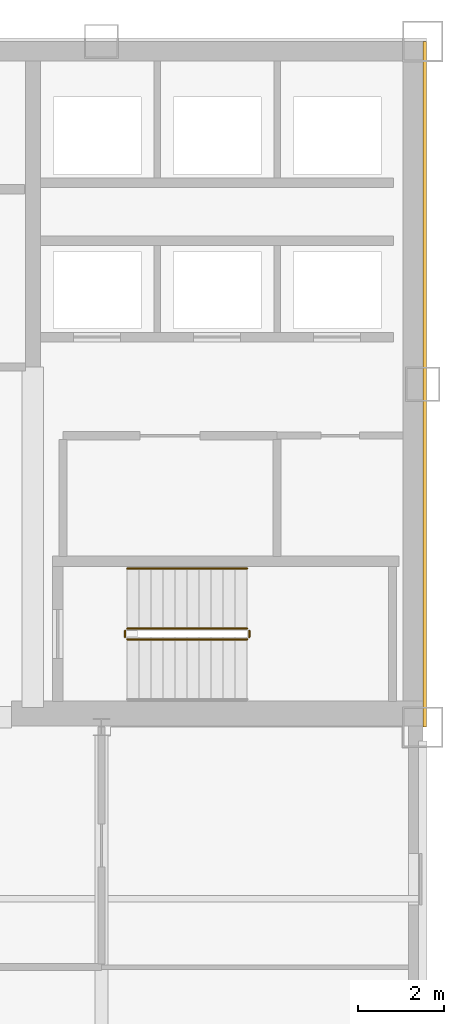
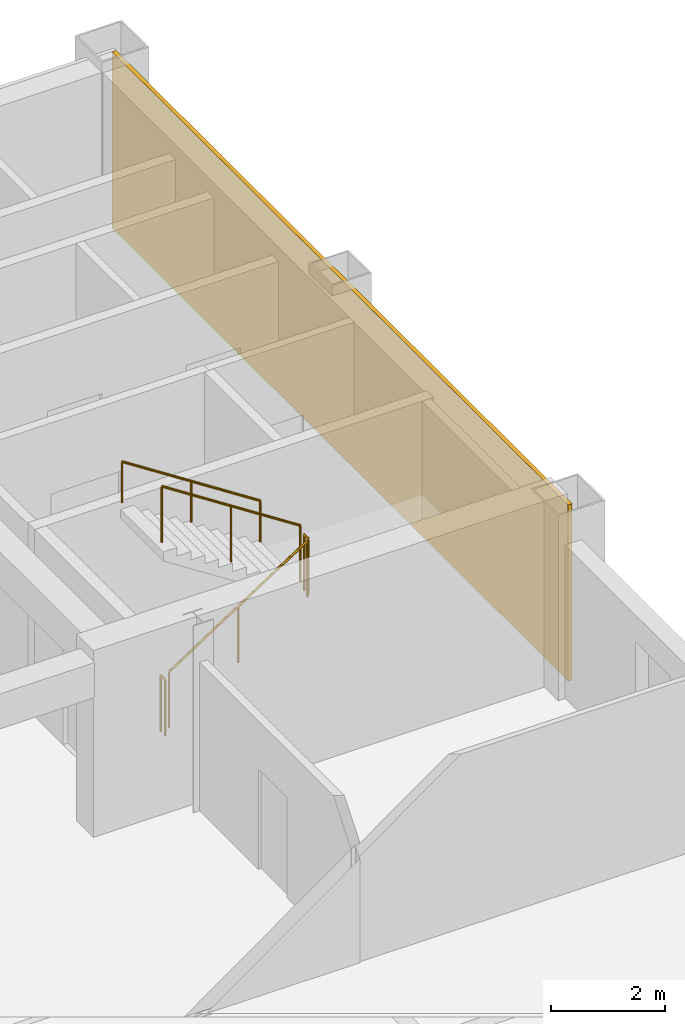
# One storey, part 8 of 10: 5 railings, 1 covering.
"""IFC4 building model written with IfcOpenShell, lengths in metres."""

from ifc_helpers import new_model, si_unit, direction, frame, origin, origin_2d, place, context, subcontext, project, spatial, rectangle, circle, extrude, material, layer, layer_set, type_object, element, save


model = new_model("IFC4")

# Units and contexts
model_context = context("Model", 3, precision=1e-05, world=origin(), true_north=direction((0.0, 1.0)))
body_context = subcontext(model_context, "Body", "Model", "MODEL_VIEW")
ifc_project = project(units=[si_unit("LENGTHUNIT", "METRE"), si_unit("AREAUNIT", "SQUARE_METRE"), si_unit("VOLUMEUNIT", "CUBIC_METRE"), si_unit("PLANEANGLEUNIT", "RADIAN"), si_unit("MASSUNIT", "GRAM", prefix="KILO")], contexts=[model_context])

# Site, building, storey
site_placement = place(None, origin())
site = spatial("IfcSite", under=ifc_project, at=site_placement, CompositionType="ELEMENT")
building_placement = place(site_placement, origin())
building = spatial("IfcBuilding", under=site, at=building_placement, Name="Qianrong Seaharbour Tower", CompositionType="ELEMENT")
storey_placement = place(building_placement, frame((0.0, 0.0, 261.800048828125)))
storey = spatial("IfcBuildingStorey", under=building, at=storey_placement, Name="L63", CompositionType="ELEMENT", Elevation=261.800048828125)

# Covering
ifc_material_1 = material(Name="Unitised red brick cladding on Precast concrete C45/55", Category="masonry")
ifc_layer = layer(ifc_material_1, 0.080078125)
ifc_layer_set = layer_set([ifc_layer], Name="Unitised red brick cladding on Precast concrete C45/55")
covering_type = type_object("IfcCoveringType", Name="COV-CLAD-RED-BRICK-80", PredefinedType="CLADDING", material=ifc_layer_set)
covering_placement = place(storey_placement, frame((64.0400390625, 44.0, 0.0), z_axis=(0.0, 0.0, 1.0), x_axis=(1.0, 0.0, 0.0)))
element("IfcCovering", 1, at=covering_placement, inside=storey, type_object=covering_type, Name="L63 East Core Brick Veneer Cladding", PredefinedType="CLADDING", context=body_context, shape_type="SweptSolid", body=[
    extrude(rectangle(XDim=0.080078125, YDim=16.0, at=origin_2d()), origin(), (0.0, 0.0, 1.0), 3.77490234375),
])

# Railings
ifc_material_2 = material(Name="Galvanized painted steel SN400B stair guard", Category="steel")
railing_type_1 = type_object("IfcRailingType", Name="RAIL-STAIR-GUARD-1220", PredefinedType="GUARDRAIL", material=ifc_material_2)
railing_1_placement = place(storey_placement, frame((57.10009765625, 38.050048828125, 0.181884765625)))
element("IfcRailing", 2, at=railing_1_placement, inside=storey, type_object=railing_type_1, Name="L63 ST-2 stair guard 1", PredefinedType="GUARDRAIL", context=body_context, shape_type="SweptSolid", body=[
    extrude(circle(Radius=0.02392578125, at=origin_2d()), frame((0.0, 0.0, 1.19580078125), z_axis=(0.83868413941, 0.0, 0.544618136222), x_axis=(0.0, 1.0, 0.0)), (0.0, 0.0, 1.0), 3.33837890625),
    extrude(circle(Radius=0.02099609375, at=origin_2d()), origin(), (0.0, 0.0, 1.0), 1.171875),
    extrude(circle(Radius=0.02099609375, at=origin_2d()), frame((1.39990234375, 0.0, 0.9091796875)), (0.0, 0.0, 1.0), 1.171875),
    extrude(circle(Radius=0.02099609375, at=origin_2d()), frame((2.7998046875, 0.0, 1.818115234375)), (0.0, 0.0, 1.0), 1.171875),
])
railing_2_placement = place(storey_placement, frame((59.949951171875, 38.10009765625, 2.0)))
element("IfcRailing", 3, at=railing_2_placement, inside=storey, type_object=railing_type_1, Name="L63 ST-2 stair guard 2", PredefinedType="GUARDRAIL", context=body_context, shape_type="SweptSolid", body=[
    extrude(circle(Radius=0.02392578125, at=origin_2d()), frame((0.0, 0.0, 1.19580078125), z_axis=(0.0, 1.0, 0.0), x_axis=(-1.0, 0.0, 0.0)), (0.0, 0.0, 1.0), 0.14990234375),
    extrude(circle(Radius=0.02099609375, at=origin_2d()), origin(), (0.0, 0.0, 1.0), 1.171875),
    extrude(circle(Radius=0.02099609375, at=origin_2d()), frame((0.0, 0.14990234375, 0.0)), (0.0, 0.0, 1.0), 1.171875),
])
railing_3_placement = place(storey_placement, frame((59.89990234375, 38.300048828125, 2.181884765625)))
element("IfcRailing", 4, at=railing_3_placement, inside=storey, type_object=railing_type_1, Name="L63 ST-2 stair guard 3", PredefinedType="GUARDRAIL", context=body_context, shape_type="SweptSolid", body=[
    extrude(circle(Radius=0.02392578125, at=origin_2d()), frame((0.0, 0.0, 1.19580078125), z_axis=(-0.83868413941, 0.0, 0.544618136222), x_axis=(0.0, -1.0, 0.0)), (0.0, 0.0, 1.0), 3.33837890625),
    extrude(circle(Radius=0.02099609375, at=origin_2d()), origin(), (0.0, 0.0, 1.0), 1.171875),
    extrude(circle(Radius=0.02099609375, at=origin_2d()), frame((-1.39990234375, 0.0, 0.9091796875)), (0.0, 0.0, 1.0), 1.171875),
    extrude(circle(Radius=0.02099609375, at=origin_2d()), frame((-2.7998046875, 0.0, 1.818115234375)), (0.0, 0.0, 1.0), 1.171875),
])
railing_4_placement = place(storey_placement, frame((57.050048828125, 38.10009765625, 0.0)))
element("IfcRailing", 5, at=railing_4_placement, inside=storey, type_object=railing_type_1, Name="L63 ST-2 stair guard 4", PredefinedType="GUARDRAIL", context=body_context, shape_type="SweptSolid", body=[
    extrude(circle(Radius=0.02392578125, at=origin_2d()), frame((0.0, 0.0, 1.19580078125), z_axis=(0.0, 1.0, 0.0), x_axis=(-1.0, 0.0, 0.0)), (0.0, 0.0, 1.0), 0.14990234375),
    extrude(circle(Radius=0.02099609375, at=origin_2d()), origin(), (0.0, 0.0, 1.0), 1.171875),
    extrude(circle(Radius=0.02099609375, at=origin_2d()), frame((0.0, 0.14990234375, 0.0)), (0.0, 0.0, 1.0), 1.171875),
])
ifc_material_3 = material(Name="Stainless steel SUS316L continuous handrail", Category="steel")
railing_type_2 = type_object("IfcRailingType", Name="RAIL-STAIR-HANDRAIL-900", PredefinedType="HANDRAIL", material=ifc_material_3)
railing_5_placement = place(storey_placement, frame((59.89990234375, 39.699951171875, 2.181884765625)))
element("IfcRailing", 6, at=railing_5_placement, inside=storey, type_object=railing_type_2, Name="L63 ST-2 stair handrail 2", PredefinedType="HANDRAIL", context=body_context, shape_type="SweptSolid", body=[
    extrude(circle(Radius=0.02392578125, at=origin_2d()), frame((0.0, 0.0, 0.8759765625), z_axis=(-0.83868413941, 0.0, 0.544618136222), x_axis=(0.0, -1.0, 0.0)), (0.0, 0.0, 1.0), 3.33837890625),
    extrude(circle(Radius=0.02099609375, at=origin_2d()), origin(), (0.0, 0.0, 1.0), 0.851806640625),
    extrude(circle(Radius=0.02099609375, at=origin_2d()), frame((-1.39990234375, 0.0, 0.9091796875)), (0.0, 0.0, 1.0), 0.851806640625),
    extrude(circle(Radius=0.02099609375, at=origin_2d()), frame((-2.7998046875, 0.0, 1.818115234375)), (0.0, 0.0, 1.0), 0.851806640625),
])

save(model, "model.ifc")
